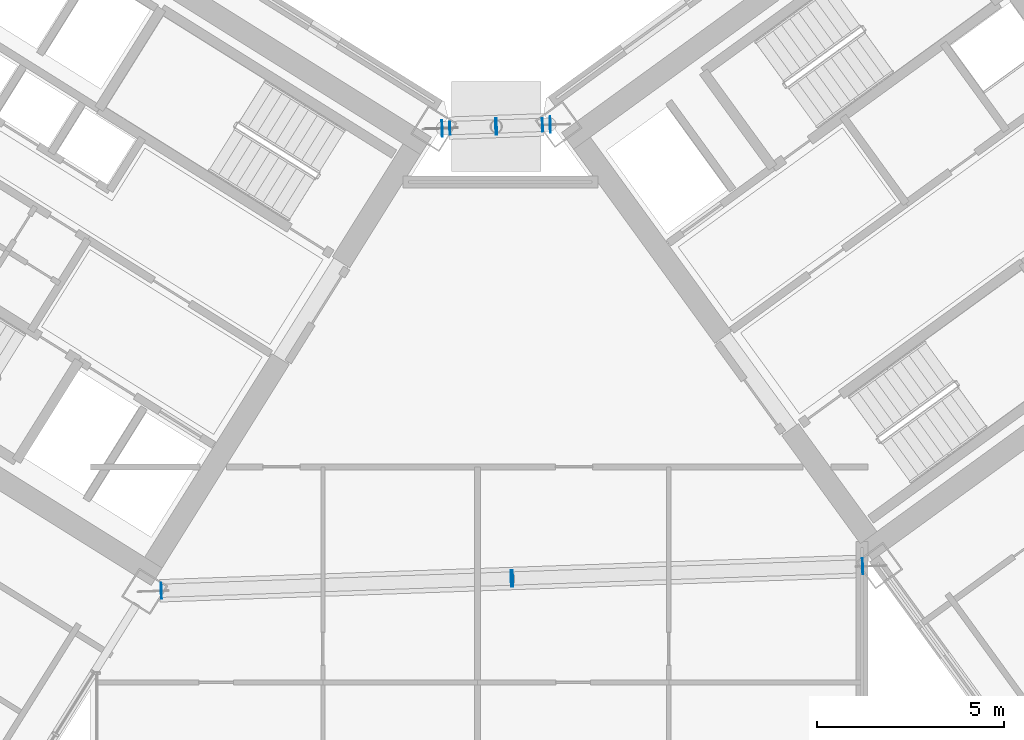
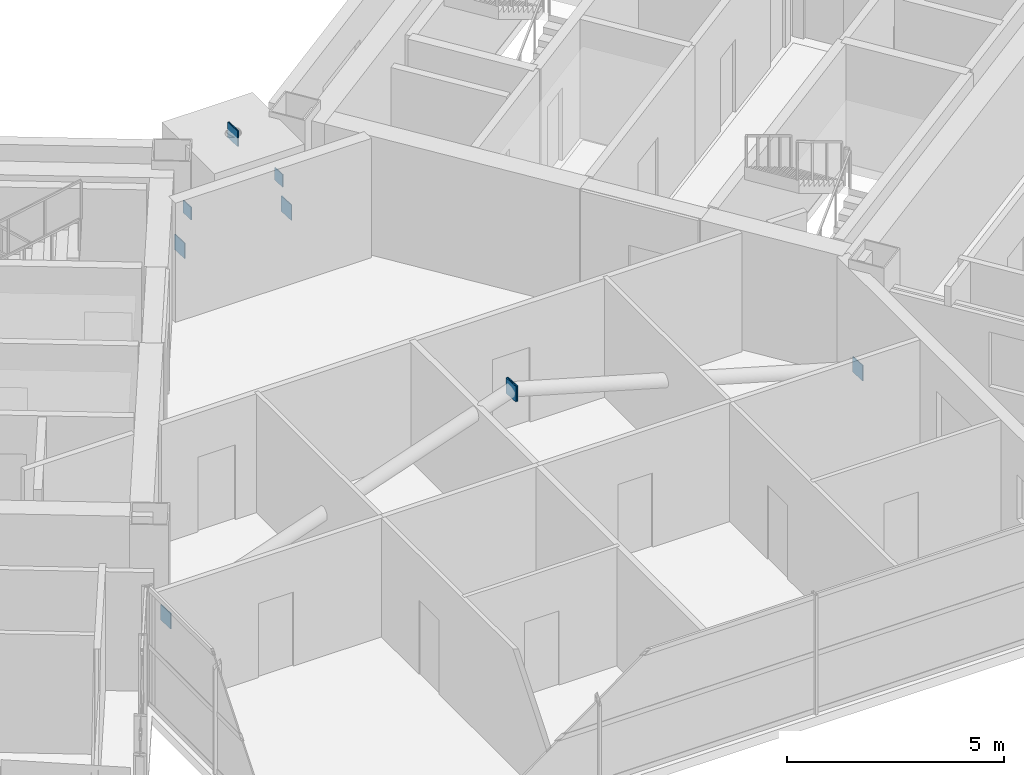
# One storey, part 15 of 29: 10 plates.
"""IFC4 building model written with IfcOpenShell, lengths in metres."""

import ifcopenshell
import ifcopenshell.guid

model = None  # the IFC model being written
_history = None  # IfcOwnerHistory: only IFC2X3 demands one
_inside = {}  # id of a spatial element -> (the spatial element, [elements in it])
_under = {}  # id of a project, library or spatial element -> (it, [spatial elements below it])
_declared = {}  # id of a project -> (the project, [libraries it declares])
_typed = {}  # id of a type object -> (the type object, [elements of that type])
_made_of = {}  # id of a material, layer set ... -> (it, [elements and type objects made of it])


def new_model(schema):
    """Start an empty IFC model of exactly this schema.

    Asked for "IFC4X3", IfcOpenShell would pick the latest addendum, in which some entities
    have other attributes; the version numbers below select the first issue.
    IFC2X3 requires an IfcOwnerHistory on every rooted entity: one is made here for all.
    """
    global model, _history
    if schema == "IFC4X3":
        model = ifcopenshell.file(schema_version=(4, 3, 0, 0))
    else:
        model = ifcopenshell.file(schema=schema)
    _inside.clear()
    _under.clear()
    _declared.clear()
    _typed.clear()
    _made_of.clear()
    _history = None
    if model.schema == "IFC2X3":
        org = make("IfcOrganization", Name="unknown")
        user = make(
            "IfcPersonAndOrganization",
            ThePerson=make("IfcPerson", FamilyName="unknown"),
            TheOrganization=org,
        )
        app = make(
            "IfcApplication",
            ApplicationDeveloper=org,
            Version="unknown",
            ApplicationFullName="unknown",
            ApplicationIdentifier="unknown",
        )
        _history = make(
            "IfcOwnerHistory",
            OwningUser=user,
            OwningApplication=app,
            ChangeAction="ADDED",
            CreationDate=0,
        )
    return model


def make(cls, **values):
    """One entity of the class cls with the attributes given. An attribute that is None is left unset."""
    return model.create_entity(
        cls, **{name: value for name, value in values.items() if value is not None}
    )


def rooted(cls, **values):
    """An entity with a GlobalId (a new one), such as an element, a storey or a relation."""
    return make(cls, GlobalId=ifcopenshell.guid.new(), OwnerHistory=_history, **values)


def si_unit(unit_type, name, prefix=None):
    """IfcSIUnit, for example si_unit("LENGTHUNIT", "METRE", prefix="MILLI")."""
    return make("IfcSIUnit", UnitType=unit_type, Prefix=prefix, Name=name)


def assignment(units):
    """IfcUnitAssignment: the units of a project."""
    return None if units is None else make("IfcUnitAssignment", Units=units)


def point(xyz):
    """IfcCartesianPoint."""
    return None if xyz is None else make("IfcCartesianPoint", Coordinates=xyz)


def direction(xyz):
    """IfcDirection."""
    return None if xyz is None else make("IfcDirection", DirectionRatios=xyz)


def frame(location, z_axis=None, x_axis=None):
    """IfcAxis2Placement3D, a coordinate frame: its origin and axes. An axis left out is left unset."""
    return make(
        "IfcAxis2Placement3D",
        Location=point(location),
        Axis=direction(z_axis),
        RefDirection=direction(x_axis),
    )


def frame_2d(location, x_axis=None):
    """IfcAxis2Placement2D, a coordinate frame in the plane: its origin and x axis."""
    return make(
        "IfcAxis2Placement2D", Location=point(location), RefDirection=direction(x_axis)
    )


def origin():
    """The frame at (0, 0, 0) with its axes left unset."""
    return frame((0.0, 0.0, 0.0))


def origin_2d():
    """The frame at (0, 0) in the plane with its x axis left unset."""
    return frame_2d((0.0, 0.0))


def place(relative_to, where):
    """IfcLocalPlacement: puts the frame where relative to a parent placement (None: the world)."""
    return make(
        "IfcLocalPlacement", PlacementRelTo=relative_to, RelativePlacement=where
    )


def context(
    kind, dimensions, precision=None, world=None, true_north=None, identifier=None
):
    """IfcGeometricRepresentationContext, for example the 3D "Model" context."""
    return make(
        "IfcGeometricRepresentationContext",
        ContextIdentifier=identifier,
        ContextType=kind,
        CoordinateSpaceDimension=dimensions,
        Precision=precision,
        WorldCoordinateSystem=world,
        TrueNorth=true_north,
    )


def subcontext(parent, identifier, kind, view, scale=None):
    """IfcGeometricRepresentationSubContext, for example "Body" below "Model"."""
    return make(
        "IfcGeometricRepresentationSubContext",
        ContextIdentifier=identifier,
        ContextType=kind,
        ParentContext=parent,
        TargetScale=scale,
        TargetView=view,
    )


def project(units=None, contexts=None):
    """IfcProject with its units and contexts."""
    return rooted(
        "IfcProject",
        Name="project",
        RepresentationContexts=contexts,
        UnitsInContext=assignment(units),
    )


def spatial(cls, under=None, at=None, **own):
    """A site, building, storey or space (cls), placed at a placement, below another one or the project."""
    s = rooted(cls, ObjectPlacement=at, **own)
    if under is not None:
        _under.setdefault(under.id(), (under, []))[1].append(s)
    return s


def profile(cls, at=None, kind="AREA", **sizes):
    """A parametric profile (cls). Its sizes go by their IFC names, for example OverallWidth=200.0."""
    return make(cls, ProfileType=kind, Position=at, **sizes)


def rectangle(**sizes):
    """IfcRectangleProfileDef."""
    return profile("IfcRectangleProfileDef", **sizes)


def extrude(swept, where, along, depth):
    """IfcExtrudedAreaSolid: the profile swept, set in the frame where, extruded along a direction by depth."""
    return make(
        "IfcExtrudedAreaSolid",
        SweptArea=swept,
        Position=where,
        ExtrudedDirection=direction(along),
        Depth=depth,
    )


def shape(context_of_items, identifier, shape_type, items):
    """IfcShapeRepresentation: the items that make up one representation, for example the "Body"."""
    return make(
        "IfcShapeRepresentation",
        ContextOfItems=context_of_items,
        RepresentationIdentifier=identifier,
        RepresentationType=shape_type,
        Items=items,
    )


def source(mapping_origin, context_of_items, identifier, shape_type, items):
    """IfcRepresentationMap: a shape defined once, which mapped items show again and again."""
    return make(
        "IfcRepresentationMap",
        MappingOrigin=mapping_origin,
        MappedRepresentation=shape(context_of_items, identifier, shape_type, items),
    )


def transform(
    local_origin,
    x_axis=None,
    y_axis=None,
    z_axis=None,
    scale=None,
    scale2=None,
    scale3=None,
    uniform=True,
):
    """IfcCartesianTransformationOperator3D, or its non-uniform kind. x_axis, y_axis, z_axis: its Axis1, 2, 3."""
    if uniform:
        return make(
            "IfcCartesianTransformationOperator3D",
            Axis1=direction(x_axis),
            Axis2=direction(y_axis),
            LocalOrigin=point(local_origin),
            Scale=scale,
            Axis3=direction(z_axis),
        )
    return make(
        "IfcCartesianTransformationOperator3DnonUniform",
        Axis1=direction(x_axis),
        Axis2=direction(y_axis),
        LocalOrigin=point(local_origin),
        Scale=scale,
        Axis3=direction(z_axis),
        Scale2=scale2,
        Scale3=scale3,
    )


def mapped(mapping_source, mapping_target):
    """IfcMappedItem: shows the shape of a source again, moved by a transform."""
    return make(
        "IfcMappedItem", MappingSource=mapping_source, MappingTarget=mapping_target
    )


def material(Name=None, Category=None):
    """IfcMaterial."""
    return make("IfcMaterial", Name=Name, Category=Category)


def layer(
    of_material, thickness, ventilated=None, Name=None, Category=None, Priority=None
):
    """IfcMaterialLayer: one layer of a wall or slab, of a material (None: an air gap)."""
    return make(
        "IfcMaterialLayer",
        Material=of_material,
        LayerThickness=thickness,
        IsVentilated=ventilated,
        Name=Name,
        Category=Category,
        Priority=Priority,
    )


def layer_set(layers, Name=None):
    """IfcMaterialLayerSet."""
    return make("IfcMaterialLayerSet", MaterialLayers=layers, LayerSetName=Name)


def made_of(thing, what):
    """Note that an element or type object is made of a material, layer set ...; save() writes the relation."""
    if what is not None:
        _made_of.setdefault(what.id(), (what, []))[1].append(thing)
    return thing


def type_object(cls, material=None, **own):
    """A type object (cls), such as IfcWallType, which elements share."""
    return made_of(rooted(cls, **own), material)


def element(
    cls,
    number,
    at=None,
    inside=None,
    cuts=None,
    type_object=None,
    material=None,
    context=None,
    identifier="Body",
    shape_type=None,
    held_by="IfcProductDefinitionShape",
    body=None,
    shapes=None,
    **own,
):
    """One element of the class cls, such as IfcWall. Its Tag is "e" and its number.

    at: its placement. inside: the storey or other place that contains it. cuts: it is an
    opening in that element (IfcRelVoidsElement). A single representation is given by context,
    identifier, shape_type and body (its items); several are given by shapes. held_by: the class
    of the entity that holds the representations. save() writes the other relations.
    """
    e = rooted(cls, Tag="e%d" % number, ObjectPlacement=at, **own)
    if body is not None:
        shapes = [shape(context, identifier, shape_type, body)]
    if shapes is not None:
        e.Representation = make(held_by, Representations=shapes)
    if inside is not None:
        _inside.setdefault(inside.id(), (inside, []))[1].append(e)
    if cuts is not None:
        rooted(
            "IfcRelVoidsElement", RelatingBuildingElement=cuts, RelatedOpeningElement=e
        )
    if type_object is not None:
        _typed.setdefault(type_object.id(), (type_object, []))[1].append(e)
    return made_of(e, material)


def aggregate(whole, parts):
    """IfcRelAggregates: a whole, such as a stair, and the parts it consists of."""
    return rooted("IfcRelAggregates", RelatingObject=whole, RelatedObjects=parts)


def save(model, path):
    """Write the relations noted so far, then the file.

    IfcRelAggregates (storeys below a building ...), IfcRelContainedInSpatialStructure (elements
    in a storey), IfcRelDefinesByType, IfcRelAssociatesMaterial and IfcRelDeclares: one each for
    every whole, place, type object, material and project.
    """
    for whole, parts in _under.values():
        aggregate(whole, parts)
    for where, things in _inside.values():
        rooted(
            "IfcRelContainedInSpatialStructure",
            RelatedElements=things,
            RelatingStructure=where,
        )
    for kind, things in _typed.values():
        rooted("IfcRelDefinesByType", RelatedObjects=things, RelatingType=kind)
    for what, things in _made_of.values():
        rooted("IfcRelAssociatesMaterial", RelatedObjects=things, RelatingMaterial=what)
    for by, libraries in _declared.values():
        rooted("IfcRelDeclares", RelatingContext=by, RelatedDefinitions=libraries)
    model.write(path)


model = new_model("IFC4")

# Units and contexts
model_context = context("Model", 3, precision=1e-05, world=origin(), true_north=direction((0.0, 1.0)))
body_context = subcontext(model_context, "Body", "Model", "MODEL_VIEW")
ifc_project = project(units=[si_unit("LENGTHUNIT", "METRE"), si_unit("AREAUNIT", "SQUARE_METRE"), si_unit("VOLUMEUNIT", "CUBIC_METRE"), si_unit("PLANEANGLEUNIT", "RADIAN"), si_unit("MASSUNIT", "GRAM", prefix="KILO")], contexts=[model_context])

# Site, building, storey
site_placement = place(None, origin())
site = spatial("IfcSite", under=ifc_project, at=site_placement, CompositionType="ELEMENT")
building_placement = place(site_placement, origin())
building = spatial("IfcBuilding", under=site, at=building_placement, Name="Tlacorven Tower", CompositionType="ELEMENT")
storey_placement = place(building_placement, frame((0.0, 0.0, 151.5)))
storey = spatial("IfcBuildingStorey", under=building, at=storey_placement, Name="L38", CompositionType="ELEMENT", Elevation=151.5)

# Plates
ifc_material = material(Name="Steel S460M", Category="steel")
ifc_layer = layer(ifc_material, 0.02392578125)
ifc_layer_set = layer_set([ifc_layer], Name="Steel S460M")
plate_type = type_object("IfcPlateType", Name="PL-CAP-END1", PredefinedType="USERDEFINED", material=ifc_layer_set)
shared_shape_1 = source(origin(), body_context, "Body", "SweptSolid", [
    extrude(rectangle(XDim=0.02392578125, YDim=0.35302734375, at=origin_2d()), origin(), (0.0, 0.0, 1.0), 0.35302734375),
])
for number, where, z_axis, x_axis, name in (
    (1, (41.212646484375, 24.4833984375, 1.573486328125), (0.0, 0.0, 1.0), (0.999390832067, 0.034899352155, 0.0), "L38 hollow end cap plate TRB-L38-RING 1"),
    (2, (43.694091796875, 24.570068359375, 1.573486328125), (0.0, 0.0, 1.0), (0.999390832067, 0.034899352155, 0.0), "L38 hollow end cap plate TRB-L38-RING 2"),
):
    element("IfcPlate", number, at=place(storey_placement, frame(where, z_axis=z_axis, x_axis=x_axis)), inside=storey, type_object=plate_type, Name=name, ObjectType="END PLATE", PredefinedType="USERDEFINED", context=body_context, shape_type="MappedRepresentation", body=[
        mapped(shared_shape_1, transform((0.0, 0.0, 0.0), scale=1.0)),
    ])
shared_shape_2 = source(origin(), body_context, "Body", "SweptSolid", [
    extrude(rectangle(XDim=0.02392578125, YDim=0.435546875, at=origin_2d()), origin(), (0.0, 0.0, 1.0), 0.435546875),
])
for number, where, z_axis, x_axis, name in (
    (3, (41.0068359375, 24.476318359375, 0.589599609375), (0.0, 0.0, 1.0), (0.999390864286, 0.034898429508, 0.0), "L38 hollow end cap plate PRT-L38-W1 1"),
    (4, (42.443603515625, 24.5263671875, 3.20458984375), (0.0, 0.0, 1.0), (0.999390864286, 0.034898429508, 0.0), "L38 hollow end cap plate PRT-L38-W1 2"),
    (5, (43.89990234375, 24.5771484375, 0.589599609375), (0.0, 0.0, 1.0), (-0.999390769791, -0.034901135475, 0.0), "L38 hollow end cap plate PRT-L38-E1 1"),
    (6, (42.462890625, 24.527099609375, 3.20458984375), (0.0, 0.0, 1.0), (-0.999390769791, -0.034901135475, 0.0), "L38 hollow end cap plate PRT-L38-E1 2"),
    (7, (33.490234375, 12.102294921875, 0.319580078125), (0.0, 0.0, 1.0), (0.999390819423, 0.034899714212, 0.0), "L38 hollow end cap plate PRT-L38-W2 1"),
    (8, (42.856689453125, 12.429443359375, 3.21630859375), (0.0, 0.0, 1.0), (0.999390819423, 0.034899714212, 0.0), "L38 hollow end cap plate PRT-L38-W2 2"),
    (9, (52.261474609375, 12.7578125, 0.319580078125), (0.0, 0.0, 1.0), (-0.999390835089, -0.034899265622, 0.0), "L38 hollow end cap plate PRT-L38-E2 1"),
    (10, (42.894775390625, 12.430908203125, 3.21630859375), (0.0, 0.0, 1.0), (-0.999390835089, -0.034899265622, 0.0), "L38 hollow end cap plate PRT-L38-E2 2"),
):
    element("IfcPlate", number, at=place(storey_placement, frame(where, z_axis=z_axis, x_axis=x_axis)), inside=storey, type_object=plate_type, Name=name, ObjectType="END PLATE", PredefinedType="USERDEFINED", context=body_context, shape_type="MappedRepresentation", body=[
        mapped(shared_shape_2, transform((0.0, 0.0, 0.0), scale=1.0)),
    ])

save(model, "model.ifc")
